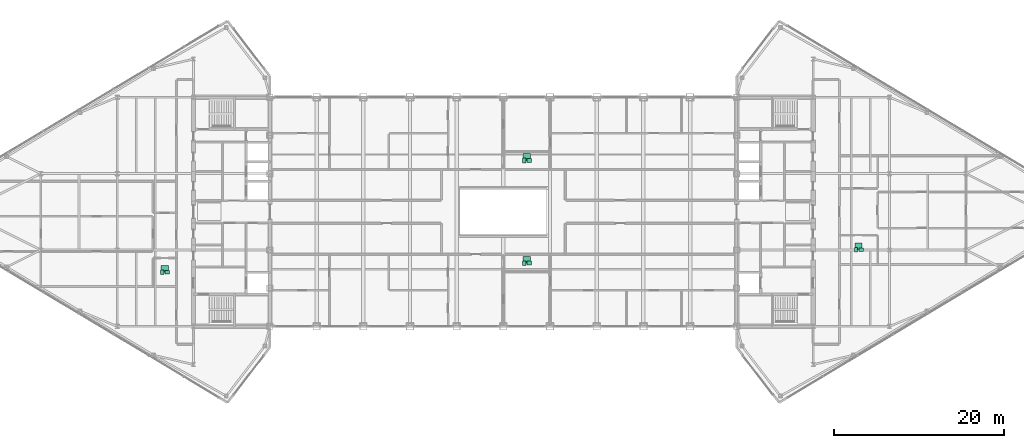
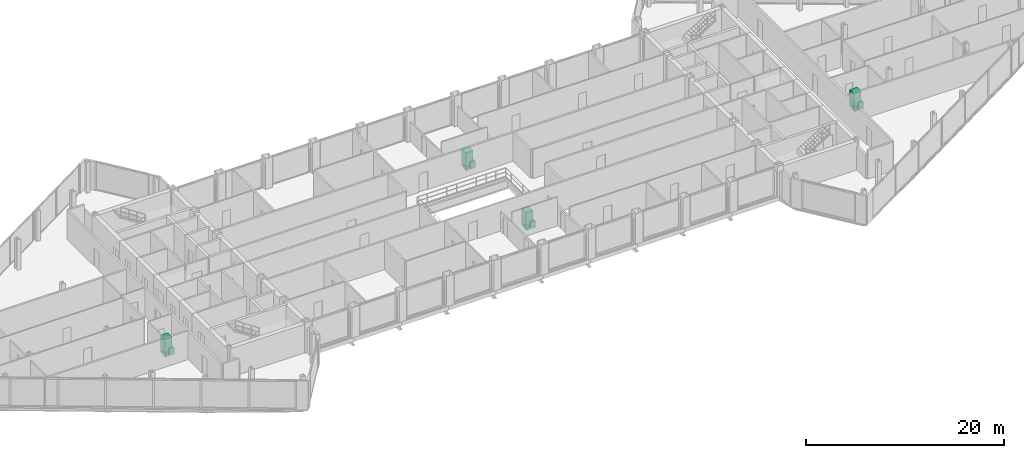
# One storey, part 29 of 29: 12 sanitary terminals.
"""IFC4 building model written with IfcOpenShell, lengths in metres."""

import ifcopenshell
import ifcopenshell.guid

model = None  # the IFC model being written
_history = None  # IfcOwnerHistory: only IFC2X3 demands one
_inside = {}  # id of a spatial element -> (the spatial element, [elements in it])
_under = {}  # id of a project, library or spatial element -> (it, [spatial elements below it])
_declared = {}  # id of a project -> (the project, [libraries it declares])
_typed = {}  # id of a type object -> (the type object, [elements of that type])
_made_of = {}  # id of a material, layer set ... -> (it, [elements and type objects made of it])


def new_model(schema):
    """Start an empty IFC model of exactly this schema.

    Asked for "IFC4X3", IfcOpenShell would pick the latest addendum, in which some entities
    have other attributes; the version numbers below select the first issue.
    IFC2X3 requires an IfcOwnerHistory on every rooted entity: one is made here for all.
    """
    global model, _history
    if schema == "IFC4X3":
        model = ifcopenshell.file(schema_version=(4, 3, 0, 0))
    else:
        model = ifcopenshell.file(schema=schema)
    _inside.clear()
    _under.clear()
    _declared.clear()
    _typed.clear()
    _made_of.clear()
    _history = None
    if model.schema == "IFC2X3":
        org = make("IfcOrganization", Name="unknown")
        user = make(
            "IfcPersonAndOrganization",
            ThePerson=make("IfcPerson", FamilyName="unknown"),
            TheOrganization=org,
        )
        app = make(
            "IfcApplication",
            ApplicationDeveloper=org,
            Version="unknown",
            ApplicationFullName="unknown",
            ApplicationIdentifier="unknown",
        )
        _history = make(
            "IfcOwnerHistory",
            OwningUser=user,
            OwningApplication=app,
            ChangeAction="ADDED",
            CreationDate=0,
        )
    return model


def make(cls, **values):
    """One entity of the class cls with the attributes given. An attribute that is None is left unset."""
    return model.create_entity(
        cls, **{name: value for name, value in values.items() if value is not None}
    )


def rooted(cls, **values):
    """An entity with a GlobalId (a new one), such as an element, a storey or a relation."""
    return make(cls, GlobalId=ifcopenshell.guid.new(), OwnerHistory=_history, **values)


def si_unit(unit_type, name, prefix=None):
    """IfcSIUnit, for example si_unit("LENGTHUNIT", "METRE", prefix="MILLI")."""
    return make("IfcSIUnit", UnitType=unit_type, Prefix=prefix, Name=name)


def assignment(units):
    """IfcUnitAssignment: the units of a project."""
    return None if units is None else make("IfcUnitAssignment", Units=units)


def point(xyz):
    """IfcCartesianPoint."""
    return None if xyz is None else make("IfcCartesianPoint", Coordinates=xyz)


def direction(xyz):
    """IfcDirection."""
    return None if xyz is None else make("IfcDirection", DirectionRatios=xyz)


def frame(location, z_axis=None, x_axis=None):
    """IfcAxis2Placement3D, a coordinate frame: its origin and axes. An axis left out is left unset."""
    return make(
        "IfcAxis2Placement3D",
        Location=point(location),
        Axis=direction(z_axis),
        RefDirection=direction(x_axis),
    )


def frame_2d(location, x_axis=None):
    """IfcAxis2Placement2D, a coordinate frame in the plane: its origin and x axis."""
    return make(
        "IfcAxis2Placement2D", Location=point(location), RefDirection=direction(x_axis)
    )


def origin():
    """The frame at (0, 0, 0) with its axes left unset."""
    return frame((0.0, 0.0, 0.0))


def origin_2d():
    """The frame at (0, 0) in the plane with its x axis left unset."""
    return frame_2d((0.0, 0.0))


def place(relative_to, where):
    """IfcLocalPlacement: puts the frame where relative to a parent placement (None: the world)."""
    return make(
        "IfcLocalPlacement", PlacementRelTo=relative_to, RelativePlacement=where
    )


def context(
    kind, dimensions, precision=None, world=None, true_north=None, identifier=None
):
    """IfcGeometricRepresentationContext, for example the 3D "Model" context."""
    return make(
        "IfcGeometricRepresentationContext",
        ContextIdentifier=identifier,
        ContextType=kind,
        CoordinateSpaceDimension=dimensions,
        Precision=precision,
        WorldCoordinateSystem=world,
        TrueNorth=true_north,
    )


def subcontext(parent, identifier, kind, view, scale=None):
    """IfcGeometricRepresentationSubContext, for example "Body" below "Model"."""
    return make(
        "IfcGeometricRepresentationSubContext",
        ContextIdentifier=identifier,
        ContextType=kind,
        ParentContext=parent,
        TargetScale=scale,
        TargetView=view,
    )


def project(units=None, contexts=None):
    """IfcProject with its units and contexts."""
    return rooted(
        "IfcProject",
        Name="project",
        RepresentationContexts=contexts,
        UnitsInContext=assignment(units),
    )


def spatial(cls, under=None, at=None, **own):
    """A site, building, storey or space (cls), placed at a placement, below another one or the project."""
    s = rooted(cls, ObjectPlacement=at, **own)
    if under is not None:
        _under.setdefault(under.id(), (under, []))[1].append(s)
    return s


def profile(cls, at=None, kind="AREA", **sizes):
    """A parametric profile (cls). Its sizes go by their IFC names, for example OverallWidth=200.0."""
    return make(cls, ProfileType=kind, Position=at, **sizes)


def rectangle(**sizes):
    """IfcRectangleProfileDef."""
    return profile("IfcRectangleProfileDef", **sizes)


def extrude(swept, where, along, depth):
    """IfcExtrudedAreaSolid: the profile swept, set in the frame where, extruded along a direction by depth."""
    return make(
        "IfcExtrudedAreaSolid",
        SweptArea=swept,
        Position=where,
        ExtrudedDirection=direction(along),
        Depth=depth,
    )


def shape(context_of_items, identifier, shape_type, items):
    """IfcShapeRepresentation: the items that make up one representation, for example the "Body"."""
    return make(
        "IfcShapeRepresentation",
        ContextOfItems=context_of_items,
        RepresentationIdentifier=identifier,
        RepresentationType=shape_type,
        Items=items,
    )


def source(mapping_origin, context_of_items, identifier, shape_type, items):
    """IfcRepresentationMap: a shape defined once, which mapped items show again and again."""
    return make(
        "IfcRepresentationMap",
        MappingOrigin=mapping_origin,
        MappedRepresentation=shape(context_of_items, identifier, shape_type, items),
    )


def transform(
    local_origin,
    x_axis=None,
    y_axis=None,
    z_axis=None,
    scale=None,
    scale2=None,
    scale3=None,
    uniform=True,
):
    """IfcCartesianTransformationOperator3D, or its non-uniform kind. x_axis, y_axis, z_axis: its Axis1, 2, 3."""
    if uniform:
        return make(
            "IfcCartesianTransformationOperator3D",
            Axis1=direction(x_axis),
            Axis2=direction(y_axis),
            LocalOrigin=point(local_origin),
            Scale=scale,
            Axis3=direction(z_axis),
        )
    return make(
        "IfcCartesianTransformationOperator3DnonUniform",
        Axis1=direction(x_axis),
        Axis2=direction(y_axis),
        LocalOrigin=point(local_origin),
        Scale=scale,
        Axis3=direction(z_axis),
        Scale2=scale2,
        Scale3=scale3,
    )


def mapped(mapping_source, mapping_target):
    """IfcMappedItem: shows the shape of a source again, moved by a transform."""
    return make(
        "IfcMappedItem", MappingSource=mapping_source, MappingTarget=mapping_target
    )


def material(Name=None, Category=None):
    """IfcMaterial."""
    return make("IfcMaterial", Name=Name, Category=Category)


def made_of(thing, what):
    """Note that an element or type object is made of a material, layer set ...; save() writes the relation."""
    if what is not None:
        _made_of.setdefault(what.id(), (what, []))[1].append(thing)
    return thing


def type_object(cls, material=None, **own):
    """A type object (cls), such as IfcWallType, which elements share."""
    return made_of(rooted(cls, **own), material)


def type_shapes(of_type, sources):
    """Give a type object the sources (RepresentationMaps) that its elements show as mapped items."""
    of_type.RepresentationMaps = sources


def element(
    cls,
    number,
    at=None,
    inside=None,
    cuts=None,
    type_object=None,
    material=None,
    context=None,
    identifier="Body",
    shape_type=None,
    held_by="IfcProductDefinitionShape",
    body=None,
    shapes=None,
    **own,
):
    """One element of the class cls, such as IfcWall. Its Tag is "e" and its number.

    at: its placement. inside: the storey or other place that contains it. cuts: it is an
    opening in that element (IfcRelVoidsElement). A single representation is given by context,
    identifier, shape_type and body (its items); several are given by shapes. held_by: the class
    of the entity that holds the representations. save() writes the other relations.
    """
    e = rooted(cls, Tag="e%d" % number, ObjectPlacement=at, **own)
    if body is not None:
        shapes = [shape(context, identifier, shape_type, body)]
    if shapes is not None:
        e.Representation = make(held_by, Representations=shapes)
    if inside is not None:
        _inside.setdefault(inside.id(), (inside, []))[1].append(e)
    if cuts is not None:
        rooted(
            "IfcRelVoidsElement", RelatingBuildingElement=cuts, RelatedOpeningElement=e
        )
    if type_object is not None:
        _typed.setdefault(type_object.id(), (type_object, []))[1].append(e)
    return made_of(e, material)


def aggregate(whole, parts):
    """IfcRelAggregates: a whole, such as a stair, and the parts it consists of."""
    return rooted("IfcRelAggregates", RelatingObject=whole, RelatedObjects=parts)


def save(model, path):
    """Write the relations noted so far, then the file.

    IfcRelAggregates (storeys below a building ...), IfcRelContainedInSpatialStructure (elements
    in a storey), IfcRelDefinesByType, IfcRelAssociatesMaterial and IfcRelDeclares: one each for
    every whole, place, type object, material and project.
    """
    for whole, parts in _under.values():
        aggregate(whole, parts)
    for where, things in _inside.values():
        rooted(
            "IfcRelContainedInSpatialStructure",
            RelatedElements=things,
            RelatingStructure=where,
        )
    for kind, things in _typed.values():
        rooted("IfcRelDefinesByType", RelatedObjects=things, RelatingType=kind)
    for what, things in _made_of.values():
        rooted("IfcRelAssociatesMaterial", RelatedObjects=things, RelatingMaterial=what)
    for by, libraries in _declared.values():
        rooted("IfcRelDeclares", RelatingContext=by, RelatedDefinitions=libraries)
    model.write(path)


model = new_model("IFC4")

# Units and contexts
model_context = context("Model", 3, precision=1e-05, world=origin(), true_north=direction((0.0, 1.0)))
body_context = subcontext(model_context, "Body", "Model", "MODEL_VIEW")
ifc_project = project(units=[si_unit("LENGTHUNIT", "METRE"), si_unit("AREAUNIT", "SQUARE_METRE"), si_unit("VOLUMEUNIT", "CUBIC_METRE"), si_unit("PLANEANGLEUNIT", "RADIAN"), si_unit("MASSUNIT", "GRAM", prefix="KILO")], contexts=[model_context])

# Site, building, storey
site_placement = place(None, origin())
site = spatial("IfcSite", under=ifc_project, at=site_placement, CompositionType="ELEMENT")
building_placement = place(site_placement, origin())
building = spatial("IfcBuilding", under=site, at=building_placement, Name="Seokmaru Belvedere", CompositionType="ELEMENT")
storey_placement = place(building_placement, frame((0.0, 0.0, 243.14990234375)))
storey = spatial("IfcBuildingStorey", under=building, at=storey_placement, Name="L64", CompositionType="ELEMENT", Elevation=243.14990234375)

# Sanitary terminals
ifc_material_1 = material(Name="Vitreous China Sanitaryware")
sanitary_terminal_type_1 = type_object("IfcSanitaryTerminalType", Name="Wall-Hung Vitreous China WC Pan", PredefinedType="TOILETPAN", material=ifc_material_1)
shared_shape_1 = source(origin(), body_context, "Body", "SweptSolid", [
    extrude(rectangle(XDim=0.3798828125, YDim=0.56005859375, at=origin_2d()), origin(), (0.0, 0.0, 1.0), 0.419921875),
])
type_shapes(sanitary_terminal_type_1, [shared_shape_1])
for number, where, z_axis, x_axis, name in (
    (1, (-40.199951171875, -7.126953125, 0.000244140625), (0.0, 0.0, 1.0), (1.0, 0.0, 0.0), "L64 Vitreous China WC 0285"),
    (2, (41.550048828125, -4.472900390625, 0.000244140625), (0.0, 0.0, 1.0), (1.0, 0.0, 0.0), "L64 Vitreous China WC 0286"),
    (3, (2.449951171875, -6.050048828125, 0.000244140625), (0.0, 0.0, 1.0), (1.0, 0.0, 0.0), "L64 Vitreous China WC 0287"),
    (4, (2.449951171875, 6.050048828125, 0.000244140625), (0.0, 0.0, 1.0), (1.0, 0.0, 0.0), "L64 Vitreous China WC 0288"),
):
    element("IfcSanitaryTerminal", number, at=place(storey_placement, frame(where, z_axis=z_axis, x_axis=x_axis)), inside=storey, type_object=sanitary_terminal_type_1, Name=name, PredefinedType="TOILETPAN", context=body_context, shape_type="MappedRepresentation", body=[
        mapped(shared_shape_1, transform((0.0, 0.0, 0.0), scale=1.0)),
    ])
sanitary_terminal_type_2 = type_object("IfcSanitaryTerminalType", Name="Countertop Ceramic Washhand Basin", PredefinedType="WASHHANDBASIN", material=ifc_material_1)
shared_shape_2 = source(origin(), body_context, "Body", "SweptSolid", [
    extrude(rectangle(XDim=0.550048828125, YDim=0.449951171875, at=origin_2d()), origin(), (0.0, 0.0, 1.0), 0.820068359375),
])
type_shapes(sanitary_terminal_type_2, [shared_shape_2])
for number, where, z_axis, x_axis, name in (
    (5, (-39.60009765625, -7.126953125, 0.0), (0.0, 0.0, 1.0), (1.0, 0.0, 0.0), "L64 Ceramic Washhand Basin 0285"),
    (6, (42.14990234375, -4.472900390625, 0.0), (0.0, 0.0, 1.0), (1.0, 0.0, 0.0), "L64 Ceramic Washhand Basin 0286"),
    (7, (3.050048828125, -6.050048828125, 0.0), (0.0, 0.0, 1.0), (1.0, 0.0, 0.0), "L64 Ceramic Washhand Basin 0287"),
    (8, (3.050048828125, 6.050048828125, 0.0), (0.0, 0.0, 1.0), (1.0, 0.0, 0.0), "L64 Ceramic Washhand Basin 0288"),
):
    element("IfcSanitaryTerminal", number, at=place(storey_placement, frame(where, z_axis=z_axis, x_axis=x_axis)), inside=storey, type_object=sanitary_terminal_type_2, Name=name, PredefinedType="WASHHANDBASIN", context=body_context, shape_type="MappedRepresentation", body=[
        mapped(shared_shape_2, transform((0.0, 0.0, 0.0), scale=1.0)),
    ])
ifc_material_2 = material(Name="Stainless Steel 316", Category="steel")
sanitary_terminal_type_3 = type_object("IfcSanitaryTerminalType", Name="Walk-In Thermostatic Rain Shower Enclosure", PredefinedType="SHOWER", material=ifc_material_2)
shared_shape_3 = source(origin(), body_context, "Body", "SweptSolid", [
    extrude(rectangle(XDim=0.85009765625, YDim=0.85009765625, at=origin_2d()), origin(), (0.0, 0.0, 1.0), 2.050048828125),
])
type_shapes(sanitary_terminal_type_3, [shared_shape_3])
for number, where, z_axis, x_axis, name in (
    (9, (-39.89990234375, -6.7470703125, 0.0), (0.0, 0.0, 1.0), (1.0, 0.0, 0.0), "L64 Walk-In Shower 0285"),
    (10, (41.85009765625, -4.093017578125, 0.0), (0.0, 0.0, 1.0), (1.0, 0.0, 0.0), "L64 Walk-In Shower 0286"),
    (11, (2.75, -5.669921875, 0.0), (0.0, 0.0, 1.0), (1.0, 0.0, 0.0), "L64 Walk-In Shower 0287"),
    (12, (2.75, 6.429931640625, 0.0), (0.0, 0.0, 1.0), (1.0, 0.0, 0.0), "L64 Walk-In Shower 0288"),
):
    element("IfcSanitaryTerminal", number, at=place(storey_placement, frame(where, z_axis=z_axis, x_axis=x_axis)), inside=storey, type_object=sanitary_terminal_type_3, Name=name, PredefinedType="SHOWER", context=body_context, shape_type="MappedRepresentation", body=[
        mapped(shared_shape_3, transform((0.0, 0.0, 0.0), scale=1.0)),
    ])

save(model, "model.ifc")
